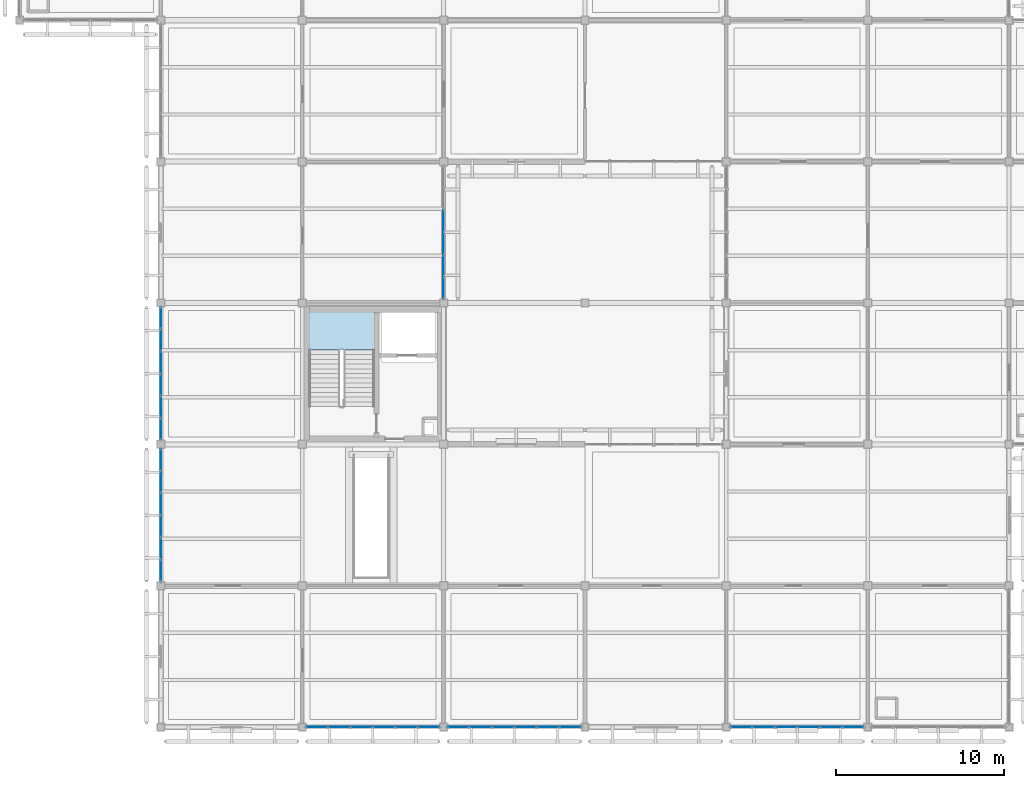
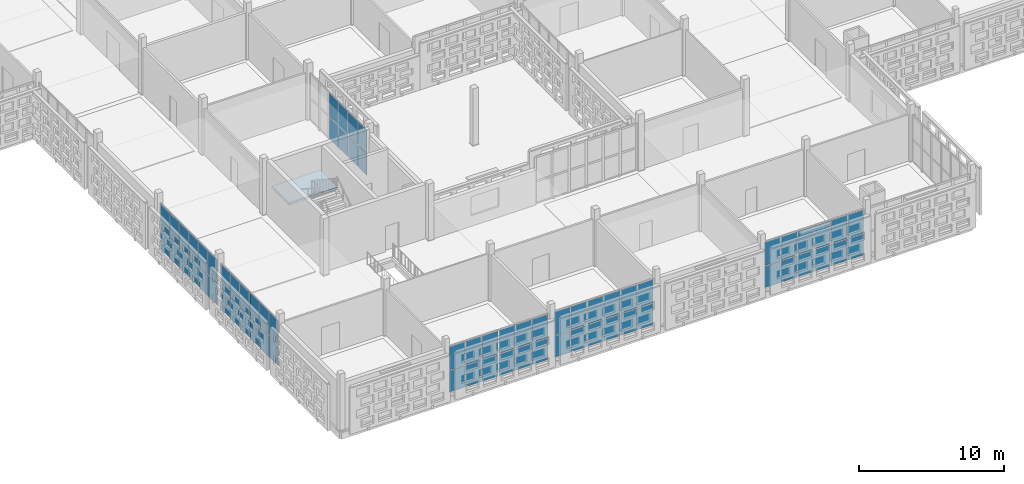
# One storey, part 87 of 203: 68 plates, 1 slab, 7 elements without a shape of their own.
"""IFC4 building model written with IfcOpenShell, lengths in metres."""

from ifc_helpers import new_model, si_unit, direction, frame, origin, origin_2d, place, context, subcontext, project, spatial, polyline, rectangle, outline, extrude, material, layer, layer_set, type_object, element, aggregate, save


model = new_model("IFC4")

# Units and contexts
model_context = context("Model", 3, precision=1e-05, world=origin(), true_north=direction((0.0, 1.0)))
body_context = subcontext(model_context, "Body", "Model", "MODEL_VIEW")
ifc_project = project(units=[si_unit("LENGTHUNIT", "METRE"), si_unit("AREAUNIT", "SQUARE_METRE"), si_unit("VOLUMEUNIT", "CUBIC_METRE"), si_unit("PLANEANGLEUNIT", "RADIAN"), si_unit("MASSUNIT", "GRAM", prefix="KILO")], contexts=[model_context])

# Site, building, storey
site_placement = place(None, origin())
site = spatial("IfcSite", under=ifc_project, at=site_placement, CompositionType="ELEMENT")
building_placement = place(site_placement, origin())
building = spatial("IfcBuilding", under=site, at=building_placement, Name="Varnapada Polytechnic", CompositionType="ELEMENT")
storey_placement = place(building_placement, frame((0.0, 0.0, 4.800048828125)))
storey = spatial("IfcBuildingStorey", under=building, at=storey_placement, Name="L01", CompositionType="ELEMENT", Elevation=4.800048828125)

# Curtain wall, plates
ifc_material_1 = material(Name="Double low-E laminated glass", Category="glass")
ifc_layer_1 = layer(ifc_material_1, 0.179931640625)
ifc_layer_set_1 = layer_set([ifc_layer_1], Name="Double low-E laminated glass")
curtain_wall_type = type_object("IfcCurtainWallType", Name="Curtain Wall CW-03", PredefinedType="NOTDEFINED", material=ifc_layer_set_1)
curtain_wall_1_placement = place(storey_placement, origin())
curtain_wall_1 = element("IfcCurtainWall", 1, at=curtain_wall_1_placement, inside=storey, type_object=curtain_wall_type, Name="L01 unitised curtain wall CW-03 (27)", PredefinedType="NOTDEFINED")
ifc_layer_2 = layer(ifc_material_1, 0.031982421875)
ifc_layer_set_2 = layer_set([ifc_layer_2], Name="Double low-E laminated glass")
plate_type = type_object("IfcPlateType", Name="Curtain Panel PNL-02", PredefinedType="CURTAIN_PANEL", material=ifc_layer_set_2)
plate_1_placement = place(storey_placement, frame((8.39990234375, 9.298828125, 0.06494140625), z_axis=(0.0, 0.0, 1.0), x_axis=(0.0, 1.0, 0.0)))
plate_1 = element("IfcPlate", 2, at=plate_1_placement, type_object=plate_type, Name="CW-03 panel 1.1", PredefinedType="CURTAIN_PANEL", context=body_context, shape_type="SweptSolid", body=[
    extrude(rectangle(XDim=1.2275390625, YDim=0.031982421875, at=origin_2d()), origin(), (0.0, 0.0, 1.0), 1.80322265625),
])
plate_2_placement = place(storey_placement, frame((8.39990234375, 9.298828125, 1.93310546875), z_axis=(0.0, 0.0, 1.0), x_axis=(0.0, 1.0, 0.0)))
plate_2 = element("IfcPlate", 3, at=plate_2_placement, type_object=plate_type, Name="CW-03 panel 1.2", PredefinedType="CURTAIN_PANEL", context=body_context, shape_type="SweptSolid", body=[
    extrude(rectangle(XDim=1.2275390625, YDim=0.031982421875, at=origin_2d()), origin(), (0.0, 0.0, 1.0), 1.961669921875),
])
plate_3_placement = place(storey_placement, frame((8.39990234375, 10.607421875, 0.06494140625), z_axis=(0.0, 0.0, 1.0), x_axis=(0.0, 1.0, 0.0)))
plate_3 = element("IfcPlate", 4, at=plate_3_placement, type_object=plate_type, Name="CW-03 panel 2.1", PredefinedType="CURTAIN_PANEL", context=body_context, shape_type="SweptSolid", body=[
    extrude(rectangle(XDim=1.260009765625, YDim=0.031982421875, at=origin_2d()), origin(), (0.0, 0.0, 1.0), 1.80322265625),
])
plate_4_placement = place(storey_placement, frame((8.39990234375, 10.607421875, 1.93310546875), z_axis=(0.0, 0.0, 1.0), x_axis=(0.0, 1.0, 0.0)))
plate_4 = element("IfcPlate", 5, at=plate_4_placement, type_object=plate_type, Name="CW-03 panel 2.2", PredefinedType="CURTAIN_PANEL", context=body_context, shape_type="SweptSolid", body=[
    extrude(rectangle(XDim=1.260009765625, YDim=0.031982421875, at=origin_2d()), origin(), (0.0, 0.0, 1.0), 1.961669921875),
])
plate_5_placement = place(storey_placement, frame((8.39990234375, 11.9326171875, 0.06494140625), z_axis=(0.0, 0.0, 1.0), x_axis=(0.0, 1.0, 0.0)))
plate_5 = element("IfcPlate", 6, at=plate_5_placement, type_object=plate_type, Name="CW-03 panel 3.1", PredefinedType="CURTAIN_PANEL", context=body_context, shape_type="SweptSolid", body=[
    extrude(rectangle(XDim=1.260009765625, YDim=0.031982421875, at=origin_2d()), origin(), (0.0, 0.0, 1.0), 1.80322265625),
])
plate_6_placement = place(storey_placement, frame((8.39990234375, 11.9326171875, 1.93310546875), z_axis=(0.0, 0.0, 1.0), x_axis=(0.0, 1.0, 0.0)))
plate_6 = element("IfcPlate", 7, at=plate_6_placement, type_object=plate_type, Name="CW-03 panel 3.2", PredefinedType="CURTAIN_PANEL", context=body_context, shape_type="SweptSolid", body=[
    extrude(rectangle(XDim=1.260009765625, YDim=0.031982421875, at=origin_2d()), origin(), (0.0, 0.0, 1.0), 1.961669921875),
])
plate_7_placement = place(storey_placement, frame((8.39990234375, 13.257568359375, 0.06494140625), z_axis=(0.0, 0.0, 1.0), x_axis=(0.0, 1.0, 0.0)))
plate_7 = element("IfcPlate", 8, at=plate_7_placement, type_object=plate_type, Name="CW-03 panel 4.1", PredefinedType="CURTAIN_PANEL", context=body_context, shape_type="SweptSolid", body=[
    extrude(rectangle(XDim=1.260009765625, YDim=0.031982421875, at=origin_2d()), origin(), (0.0, 0.0, 1.0), 1.80322265625),
])
plate_8_placement = place(storey_placement, frame((8.39990234375, 13.257568359375, 1.93310546875), z_axis=(0.0, 0.0, 1.0), x_axis=(0.0, 1.0, 0.0)))
plate_8 = element("IfcPlate", 9, at=plate_8_placement, type_object=plate_type, Name="CW-03 panel 4.2", PredefinedType="CURTAIN_PANEL", context=body_context, shape_type="SweptSolid", body=[
    extrude(rectangle(XDim=1.260009765625, YDim=0.031982421875, at=origin_2d()), origin(), (0.0, 0.0, 1.0), 1.961669921875),
])
plate_9_placement = place(storey_placement, frame((8.39990234375, 14.58251953125, 0.06494140625), z_axis=(0.0, 0.0, 1.0), x_axis=(0.0, 1.0, 0.0)))
plate_9 = element("IfcPlate", 10, at=plate_9_placement, type_object=plate_type, Name="CW-03 panel 5.1", PredefinedType="CURTAIN_PANEL", context=body_context, shape_type="SweptSolid", body=[
    extrude(rectangle(XDim=1.260009765625, YDim=0.031982421875, at=origin_2d()), origin(), (0.0, 0.0, 1.0), 1.80322265625),
])
plate_10_placement = place(storey_placement, frame((8.39990234375, 14.58251953125, 1.93310546875), z_axis=(0.0, 0.0, 1.0), x_axis=(0.0, 1.0, 0.0)))
plate_10 = element("IfcPlate", 11, at=plate_10_placement, type_object=plate_type, Name="CW-03 panel 5.2", PredefinedType="CURTAIN_PANEL", context=body_context, shape_type="SweptSolid", body=[
    extrude(rectangle(XDim=1.260009765625, YDim=0.031982421875, at=origin_2d()), origin(), (0.0, 0.0, 1.0), 1.961669921875),
])
plate_11_placement = place(storey_placement, frame((8.39990234375, 15.891357421875, 0.06494140625), z_axis=(0.0, 0.0, 1.0), x_axis=(0.0, 1.0, 0.0)))
plate_11 = element("IfcPlate", 12, at=plate_11_placement, type_object=plate_type, Name="CW-03 panel 6.1", PredefinedType="CURTAIN_PANEL", context=body_context, shape_type="SweptSolid", body=[
    extrude(rectangle(XDim=1.2275390625, YDim=0.031982421875, at=origin_2d()), origin(), (0.0, 0.0, 1.0), 1.80322265625),
])
plate_12_placement = place(storey_placement, frame((8.39990234375, 15.891357421875, 1.93310546875), z_axis=(0.0, 0.0, 1.0), x_axis=(0.0, 1.0, 0.0)))
plate_12 = element("IfcPlate", 13, at=plate_12_placement, type_object=plate_type, Name="CW-03 panel 6.2", PredefinedType="CURTAIN_PANEL", context=body_context, shape_type="SweptSolid", body=[
    extrude(rectangle(XDim=1.2275390625, YDim=0.031982421875, at=origin_2d()), origin(), (0.0, 0.0, 1.0), 1.961669921875),
])
aggregate(curtain_wall_1, [plate_1, plate_2, plate_3, plate_4, plate_5, plate_6, plate_7, plate_8, plate_9, plate_10, plate_11, plate_12])

curtain_wall_2_placement = place(storey_placement, origin())
curtain_wall_2 = element("IfcCurtainWall", 14, at=curtain_wall_2_placement, inside=storey, type_object=curtain_wall_type, Name="L01 unitised curtain wall CW-03 (28)", PredefinedType="NOTDEFINED")
plate_13_placement = place(storey_placement, frame((8.39990234375, 17.708740234375, 0.06494140625), z_axis=(0.0, 0.0, 1.0), x_axis=(0.0, 1.0, 0.0)))
plate_13 = element("IfcPlate", 15, at=plate_13_placement, type_object=plate_type, Name="CW-03 panel 1.1", PredefinedType="CURTAIN_PANEL", context=body_context, shape_type="SweptSolid", body=[
    extrude(rectangle(XDim=1.2275390625, YDim=0.031982421875, at=origin_2d()), origin(), (0.0, 0.0, 1.0), 1.80322265625),
])
plate_14_placement = place(storey_placement, frame((8.39990234375, 17.708740234375, 1.93310546875), z_axis=(0.0, 0.0, 1.0), x_axis=(0.0, 1.0, 0.0)))
plate_14 = element("IfcPlate", 16, at=plate_14_placement, type_object=plate_type, Name="CW-03 panel 1.2", PredefinedType="CURTAIN_PANEL", context=body_context, shape_type="SweptSolid", body=[
    extrude(rectangle(XDim=1.2275390625, YDim=0.031982421875, at=origin_2d()), origin(), (0.0, 0.0, 1.0), 1.961669921875),
])
plate_15_placement = place(storey_placement, frame((8.39990234375, 19.017578125, 0.06494140625), z_axis=(0.0, 0.0, 1.0), x_axis=(0.0, 1.0, 0.0)))
plate_15 = element("IfcPlate", 17, at=plate_15_placement, type_object=plate_type, Name="CW-03 panel 2.1", PredefinedType="CURTAIN_PANEL", context=body_context, shape_type="SweptSolid", body=[
    extrude(rectangle(XDim=1.260009765625, YDim=0.031982421875, at=origin_2d()), origin(), (0.0, 0.0, 1.0), 1.80322265625),
])
plate_16_placement = place(storey_placement, frame((8.39990234375, 19.017578125, 1.93310546875), z_axis=(0.0, 0.0, 1.0), x_axis=(0.0, 1.0, 0.0)))
plate_16 = element("IfcPlate", 18, at=plate_16_placement, type_object=plate_type, Name="CW-03 panel 2.2", PredefinedType="CURTAIN_PANEL", context=body_context, shape_type="SweptSolid", body=[
    extrude(rectangle(XDim=1.260009765625, YDim=0.031982421875, at=origin_2d()), origin(), (0.0, 0.0, 1.0), 1.961669921875),
])
plate_17_placement = place(storey_placement, frame((8.39990234375, 20.342529296875, 0.06494140625), z_axis=(0.0, 0.0, 1.0), x_axis=(0.0, 1.0, 0.0)))
plate_17 = element("IfcPlate", 19, at=plate_17_placement, type_object=plate_type, Name="CW-03 panel 3.1", PredefinedType="CURTAIN_PANEL", context=body_context, shape_type="SweptSolid", body=[
    extrude(rectangle(XDim=1.260009765625, YDim=0.031982421875, at=origin_2d()), origin(), (0.0, 0.0, 1.0), 1.80322265625),
])
plate_18_placement = place(storey_placement, frame((8.39990234375, 20.342529296875, 1.93310546875), z_axis=(0.0, 0.0, 1.0), x_axis=(0.0, 1.0, 0.0)))
plate_18 = element("IfcPlate", 20, at=plate_18_placement, type_object=plate_type, Name="CW-03 panel 3.2", PredefinedType="CURTAIN_PANEL", context=body_context, shape_type="SweptSolid", body=[
    extrude(rectangle(XDim=1.260009765625, YDim=0.031982421875, at=origin_2d()), origin(), (0.0, 0.0, 1.0), 1.961669921875),
])
plate_19_placement = place(storey_placement, frame((8.39990234375, 21.66748046875, 0.06494140625), z_axis=(0.0, 0.0, 1.0), x_axis=(0.0, 1.0, 0.0)))
plate_19 = element("IfcPlate", 21, at=plate_19_placement, type_object=plate_type, Name="CW-03 panel 4.1", PredefinedType="CURTAIN_PANEL", context=body_context, shape_type="SweptSolid", body=[
    extrude(rectangle(XDim=1.260009765625, YDim=0.031982421875, at=origin_2d()), origin(), (0.0, 0.0, 1.0), 1.80322265625),
])
plate_20_placement = place(storey_placement, frame((8.39990234375, 21.66748046875, 1.93310546875), z_axis=(0.0, 0.0, 1.0), x_axis=(0.0, 1.0, 0.0)))
plate_20 = element("IfcPlate", 22, at=plate_20_placement, type_object=plate_type, Name="CW-03 panel 4.2", PredefinedType="CURTAIN_PANEL", context=body_context, shape_type="SweptSolid", body=[
    extrude(rectangle(XDim=1.260009765625, YDim=0.031982421875, at=origin_2d()), origin(), (0.0, 0.0, 1.0), 1.961669921875),
])
plate_21_placement = place(storey_placement, frame((8.39990234375, 22.992431640625, 0.06494140625), z_axis=(0.0, 0.0, 1.0), x_axis=(0.0, 1.0, 0.0)))
plate_21 = element("IfcPlate", 23, at=plate_21_placement, type_object=plate_type, Name="CW-03 panel 5.1", PredefinedType="CURTAIN_PANEL", context=body_context, shape_type="SweptSolid", body=[
    extrude(rectangle(XDim=1.260009765625, YDim=0.031982421875, at=origin_2d()), origin(), (0.0, 0.0, 1.0), 1.80322265625),
])
plate_22_placement = place(storey_placement, frame((8.39990234375, 22.992431640625, 1.93310546875), z_axis=(0.0, 0.0, 1.0), x_axis=(0.0, 1.0, 0.0)))
plate_22 = element("IfcPlate", 24, at=plate_22_placement, type_object=plate_type, Name="CW-03 panel 5.2", PredefinedType="CURTAIN_PANEL", context=body_context, shape_type="SweptSolid", body=[
    extrude(rectangle(XDim=1.260009765625, YDim=0.031982421875, at=origin_2d()), origin(), (0.0, 0.0, 1.0), 1.961669921875),
])
plate_23_placement = place(storey_placement, frame((8.39990234375, 24.30126953125, 0.06494140625), z_axis=(0.0, 0.0, 1.0), x_axis=(0.0, 1.0, 0.0)))
plate_23 = element("IfcPlate", 25, at=plate_23_placement, type_object=plate_type, Name="CW-03 panel 6.1", PredefinedType="CURTAIN_PANEL", context=body_context, shape_type="SweptSolid", body=[
    extrude(rectangle(XDim=1.2275390625, YDim=0.031982421875, at=origin_2d()), origin(), (0.0, 0.0, 1.0), 1.80322265625),
])
plate_24_placement = place(storey_placement, frame((8.39990234375, 24.30126953125, 1.93310546875), z_axis=(0.0, 0.0, 1.0), x_axis=(0.0, 1.0, 0.0)))
plate_24 = element("IfcPlate", 26, at=plate_24_placement, type_object=plate_type, Name="CW-03 panel 6.2", PredefinedType="CURTAIN_PANEL", context=body_context, shape_type="SweptSolid", body=[
    extrude(rectangle(XDim=1.2275390625, YDim=0.031982421875, at=origin_2d()), origin(), (0.0, 0.0, 1.0), 1.961669921875),
])
aggregate(curtain_wall_2, [plate_13, plate_14, plate_15, plate_16, plate_17, plate_18, plate_19, plate_20, plate_21, plate_22, plate_23, plate_24])

curtain_wall_3_placement = place(storey_placement, origin())
curtain_wall_3 = element("IfcCurtainWall", 27, at=curtain_wall_3_placement, inside=storey, type_object=curtain_wall_type, Name="L01 unitised curtain wall CW-03 (31)", PredefinedType="NOTDEFINED")
plate_25_placement = place(storey_placement, frame((24.316162109375, 0.0, 0.06494140625), z_axis=(0.0, 0.0, 1.0), x_axis=(-1.0, 0.0, 0.0)))
plate_25 = element("IfcPlate", 28, at=plate_25_placement, type_object=plate_type, Name="CW-03 panel 1.1", PredefinedType="CURTAIN_PANEL", context=body_context, shape_type="SweptSolid", body=[
    extrude(rectangle(XDim=1.237548828125, YDim=0.031982421875, at=origin_2d()), origin(), (0.0, 0.0, 1.0), 1.80322265625),
])
plate_26_placement = place(storey_placement, frame((24.316162109375, 0.0, 1.93310546875), z_axis=(0.0, 0.0, 1.0), x_axis=(-1.0, 0.0, 0.0)))
plate_26 = element("IfcPlate", 29, at=plate_26_placement, type_object=plate_type, Name="CW-03 panel 1.2", PredefinedType="CURTAIN_PANEL", context=body_context, shape_type="SweptSolid", body=[
    extrude(rectangle(XDim=1.237548828125, YDim=0.031982421875, at=origin_2d()), origin(), (0.0, 0.0, 1.0), 1.961669921875),
])
plate_27_placement = place(storey_placement, frame((22.99755859375, 0.0, 0.06494140625), z_axis=(0.0, 0.0, 1.0), x_axis=(-1.0, 0.0, 0.0)))
plate_27 = element("IfcPlate", 30, at=plate_27_placement, type_object=plate_type, Name="CW-03 panel 2.1", PredefinedType="CURTAIN_PANEL", context=body_context, shape_type="SweptSolid", body=[
    extrude(rectangle(XDim=1.27001953125, YDim=0.031982421875, at=origin_2d()), origin(), (0.0, 0.0, 1.0), 1.80322265625),
])
plate_28_placement = place(storey_placement, frame((22.99755859375, 0.0, 1.93310546875), z_axis=(0.0, 0.0, 1.0), x_axis=(-1.0, 0.0, 0.0)))
plate_28 = element("IfcPlate", 31, at=plate_28_placement, type_object=plate_type, Name="CW-03 panel 2.2", PredefinedType="CURTAIN_PANEL", context=body_context, shape_type="SweptSolid", body=[
    extrude(rectangle(XDim=1.27001953125, YDim=0.031982421875, at=origin_2d()), origin(), (0.0, 0.0, 1.0), 1.961669921875),
])
plate_29_placement = place(storey_placement, frame((21.66259765625, 0.0, 0.06494140625), z_axis=(0.0, 0.0, 1.0), x_axis=(-1.0, 0.0, 0.0)))
plate_29 = element("IfcPlate", 32, at=plate_29_placement, type_object=plate_type, Name="CW-03 panel 3.1", PredefinedType="CURTAIN_PANEL", context=body_context, shape_type="SweptSolid", body=[
    extrude(rectangle(XDim=1.27001953125, YDim=0.031982421875, at=origin_2d()), origin(), (0.0, 0.0, 1.0), 1.80322265625),
])
plate_30_placement = place(storey_placement, frame((21.66259765625, 0.0, 1.93310546875), z_axis=(0.0, 0.0, 1.0), x_axis=(-1.0, 0.0, 0.0)))
plate_30 = element("IfcPlate", 33, at=plate_30_placement, type_object=plate_type, Name="CW-03 panel 3.2", PredefinedType="CURTAIN_PANEL", context=body_context, shape_type="SweptSolid", body=[
    extrude(rectangle(XDim=1.27001953125, YDim=0.031982421875, at=origin_2d()), origin(), (0.0, 0.0, 1.0), 1.961669921875),
])
plate_31_placement = place(storey_placement, frame((20.327392578125, 0.0, 0.06494140625), z_axis=(0.0, 0.0, 1.0), x_axis=(-1.0, 0.0, 0.0)))
plate_31 = element("IfcPlate", 34, at=plate_31_placement, type_object=plate_type, Name="CW-03 panel 4.1", PredefinedType="CURTAIN_PANEL", context=body_context, shape_type="SweptSolid", body=[
    extrude(rectangle(XDim=1.27001953125, YDim=0.031982421875, at=origin_2d()), origin(), (0.0, 0.0, 1.0), 1.80322265625),
])
plate_32_placement = place(storey_placement, frame((20.327392578125, 0.0, 1.93310546875), z_axis=(0.0, 0.0, 1.0), x_axis=(-1.0, 0.0, 0.0)))
plate_32 = element("IfcPlate", 35, at=plate_32_placement, type_object=plate_type, Name="CW-03 panel 4.2", PredefinedType="CURTAIN_PANEL", context=body_context, shape_type="SweptSolid", body=[
    extrude(rectangle(XDim=1.27001953125, YDim=0.031982421875, at=origin_2d()), origin(), (0.0, 0.0, 1.0), 1.961669921875),
])
plate_33_placement = place(storey_placement, frame((18.992431640625, 0.0, 0.06494140625), z_axis=(0.0, 0.0, 1.0), x_axis=(-1.0, 0.0, 0.0)))
plate_33 = element("IfcPlate", 36, at=plate_33_placement, type_object=plate_type, Name="CW-03 panel 5.1", PredefinedType="CURTAIN_PANEL", context=body_context, shape_type="SweptSolid", body=[
    extrude(rectangle(XDim=1.27001953125, YDim=0.031982421875, at=origin_2d()), origin(), (0.0, 0.0, 1.0), 1.80322265625),
])
plate_34_placement = place(storey_placement, frame((18.992431640625, 0.0, 1.93310546875), z_axis=(0.0, 0.0, 1.0), x_axis=(-1.0, 0.0, 0.0)))
plate_34 = element("IfcPlate", 37, at=plate_34_placement, type_object=plate_type, Name="CW-03 panel 5.2", PredefinedType="CURTAIN_PANEL", context=body_context, shape_type="SweptSolid", body=[
    extrude(rectangle(XDim=1.27001953125, YDim=0.031982421875, at=origin_2d()), origin(), (0.0, 0.0, 1.0), 1.961669921875),
])
plate_35_placement = place(storey_placement, frame((17.673828125, 0.0, 0.06494140625), z_axis=(0.0, 0.0, 1.0), x_axis=(-1.0, 0.0, 0.0)))
plate_35 = element("IfcPlate", 38, at=plate_35_placement, type_object=plate_type, Name="CW-03 panel 6.1", PredefinedType="CURTAIN_PANEL", context=body_context, shape_type="SweptSolid", body=[
    extrude(rectangle(XDim=1.237548828125, YDim=0.031982421875, at=origin_2d()), origin(), (0.0, 0.0, 1.0), 1.80322265625),
])
plate_36_placement = place(storey_placement, frame((17.673828125, 0.0, 1.93310546875), z_axis=(0.0, 0.0, 1.0), x_axis=(-1.0, 0.0, 0.0)))
plate_36 = element("IfcPlate", 39, at=plate_36_placement, type_object=plate_type, Name="CW-03 panel 6.2", PredefinedType="CURTAIN_PANEL", context=body_context, shape_type="SweptSolid", body=[
    extrude(rectangle(XDim=1.237548828125, YDim=0.031982421875, at=origin_2d()), origin(), (0.0, 0.0, 1.0), 1.961669921875),
])
aggregate(curtain_wall_3, [plate_25, plate_26, plate_27, plate_28, plate_29, plate_30, plate_31, plate_32, plate_33, plate_34, plate_35, plate_36])

curtain_wall_4_placement = place(storey_placement, origin())
curtain_wall_4 = element("IfcCurtainWall", 40, at=curtain_wall_4_placement, inside=storey, type_object=curtain_wall_type, Name="L01 unitised curtain wall CW-03 (32)", PredefinedType="NOTDEFINED")
plate_37_placement = place(storey_placement, frame((25.199951171875, 30.0576171875, 0.06494140625), z_axis=(0.0, 0.0, 1.0), x_axis=(0.0, -1.0, 0.0)))
plate_37 = element("IfcPlate", 41, at=plate_37_placement, type_object=plate_type, Name="CW-03 panel 3.1", PredefinedType="CURTAIN_PANEL", context=body_context, shape_type="SweptSolid", body=[
    extrude(rectangle(XDim=1.260009765625, YDim=0.031982421875, at=origin_2d()), origin(), (0.0, 0.0, 1.0), 1.80322265625),
])
plate_38_placement = place(storey_placement, frame((25.199951171875, 30.0576171875, 1.93310546875), z_axis=(0.0, 0.0, 1.0), x_axis=(0.0, -1.0, 0.0)))
plate_38 = element("IfcPlate", 42, at=plate_38_placement, type_object=plate_type, Name="CW-03 panel 3.2", PredefinedType="CURTAIN_PANEL", context=body_context, shape_type="SweptSolid", body=[
    extrude(rectangle(XDim=1.260009765625, YDim=0.031982421875, at=origin_2d()), origin(), (0.0, 0.0, 1.0), 1.961669921875),
])
plate_39_placement = place(storey_placement, frame((25.199951171875, 28.732421875, 0.06494140625), z_axis=(0.0, 0.0, 1.0), x_axis=(0.0, -1.0, 0.0)))
plate_39 = element("IfcPlate", 43, at=plate_39_placement, type_object=plate_type, Name="CW-03 panel 4.1", PredefinedType="CURTAIN_PANEL", context=body_context, shape_type="SweptSolid", body=[
    extrude(rectangle(XDim=1.260009765625, YDim=0.031982421875, at=origin_2d()), origin(), (0.0, 0.0, 1.0), 1.80322265625),
])
plate_40_placement = place(storey_placement, frame((25.199951171875, 28.732421875, 1.93310546875), z_axis=(0.0, 0.0, 1.0), x_axis=(0.0, -1.0, 0.0)))
plate_40 = element("IfcPlate", 44, at=plate_40_placement, type_object=plate_type, Name="CW-03 panel 4.2", PredefinedType="CURTAIN_PANEL", context=body_context, shape_type="SweptSolid", body=[
    extrude(rectangle(XDim=1.260009765625, YDim=0.031982421875, at=origin_2d()), origin(), (0.0, 0.0, 1.0), 1.961669921875),
])
plate_41_placement = place(storey_placement, frame((25.199951171875, 27.407470703125, 0.06494140625), z_axis=(0.0, 0.0, 1.0), x_axis=(0.0, -1.0, 0.0)))
plate_41 = element("IfcPlate", 45, at=plate_41_placement, type_object=plate_type, Name="CW-03 panel 5.1", PredefinedType="CURTAIN_PANEL", context=body_context, shape_type="SweptSolid", body=[
    extrude(rectangle(XDim=1.260009765625, YDim=0.031982421875, at=origin_2d()), origin(), (0.0, 0.0, 1.0), 1.80322265625),
])
plate_42_placement = place(storey_placement, frame((25.199951171875, 27.407470703125, 1.93310546875), z_axis=(0.0, 0.0, 1.0), x_axis=(0.0, -1.0, 0.0)))
plate_42 = element("IfcPlate", 46, at=plate_42_placement, type_object=plate_type, Name="CW-03 panel 5.2", PredefinedType="CURTAIN_PANEL", context=body_context, shape_type="SweptSolid", body=[
    extrude(rectangle(XDim=1.260009765625, YDim=0.031982421875, at=origin_2d()), origin(), (0.0, 0.0, 1.0), 1.961669921875),
])
plate_43_placement = place(storey_placement, frame((25.199951171875, 26.0986328125, 0.06494140625), z_axis=(0.0, 0.0, 1.0), x_axis=(0.0, -1.0, 0.0)))
plate_43 = element("IfcPlate", 47, at=plate_43_placement, type_object=plate_type, Name="CW-03 panel 6.1", PredefinedType="CURTAIN_PANEL", context=body_context, shape_type="SweptSolid", body=[
    extrude(rectangle(XDim=1.2275390625, YDim=0.031982421875, at=origin_2d()), origin(), (0.0, 0.0, 1.0), 1.80322265625),
])
plate_44_placement = place(storey_placement, frame((25.199951171875, 26.0986328125, 1.93310546875), z_axis=(0.0, 0.0, 1.0), x_axis=(0.0, -1.0, 0.0)))
plate_44 = element("IfcPlate", 48, at=plate_44_placement, type_object=plate_type, Name="CW-03 panel 6.2", PredefinedType="CURTAIN_PANEL", context=body_context, shape_type="SweptSolid", body=[
    extrude(rectangle(XDim=1.2275390625, YDim=0.031982421875, at=origin_2d()), origin(), (0.0, 0.0, 1.0), 1.961669921875),
])
aggregate(curtain_wall_4, [plate_37, plate_38, plate_39, plate_40, plate_41, plate_42, plate_43, plate_44])

curtain_wall_5_placement = place(storey_placement, origin())
curtain_wall_5 = element("IfcCurtainWall", 49, at=curtain_wall_5_placement, inside=storey, type_object=curtain_wall_type, Name="L01 unitised curtain wall CW-03 (33)", PredefinedType="NOTDEFINED")
plate_45_placement = place(storey_placement, frame((32.726318359375, 0.0, 0.06494140625), z_axis=(0.0, 0.0, 1.0), x_axis=(-1.0, 0.0, 0.0)))
plate_45 = element("IfcPlate", 50, at=plate_45_placement, type_object=plate_type, Name="CW-03 panel 1.1", PredefinedType="CURTAIN_PANEL", context=body_context, shape_type="SweptSolid", body=[
    extrude(rectangle(XDim=1.237548828125, YDim=0.031982421875, at=origin_2d()), origin(), (0.0, 0.0, 1.0), 1.80322265625),
])
plate_46_placement = place(storey_placement, frame((32.726318359375, 0.0, 1.93310546875), z_axis=(0.0, 0.0, 1.0), x_axis=(-1.0, 0.0, 0.0)))
plate_46 = element("IfcPlate", 51, at=plate_46_placement, type_object=plate_type, Name="CW-03 panel 1.2", PredefinedType="CURTAIN_PANEL", context=body_context, shape_type="SweptSolid", body=[
    extrude(rectangle(XDim=1.237548828125, YDim=0.031982421875, at=origin_2d()), origin(), (0.0, 0.0, 1.0), 1.961669921875),
])
plate_47_placement = place(storey_placement, frame((31.407470703125, 0.0, 0.06494140625), z_axis=(0.0, 0.0, 1.0), x_axis=(-1.0, 0.0, 0.0)))
plate_47 = element("IfcPlate", 52, at=plate_47_placement, type_object=plate_type, Name="CW-03 panel 2.1", PredefinedType="CURTAIN_PANEL", context=body_context, shape_type="SweptSolid", body=[
    extrude(rectangle(XDim=1.27001953125, YDim=0.031982421875, at=origin_2d()), origin(), (0.0, 0.0, 1.0), 1.80322265625),
])
plate_48_placement = place(storey_placement, frame((31.407470703125, 0.0, 1.93310546875), z_axis=(0.0, 0.0, 1.0), x_axis=(-1.0, 0.0, 0.0)))
plate_48 = element("IfcPlate", 53, at=plate_48_placement, type_object=plate_type, Name="CW-03 panel 2.2", PredefinedType="CURTAIN_PANEL", context=body_context, shape_type="SweptSolid", body=[
    extrude(rectangle(XDim=1.27001953125, YDim=0.031982421875, at=origin_2d()), origin(), (0.0, 0.0, 1.0), 1.961669921875),
])
plate_49_placement = place(storey_placement, frame((30.072509765625, 0.0, 0.06494140625), z_axis=(0.0, 0.0, 1.0), x_axis=(-1.0, 0.0, 0.0)))
plate_49 = element("IfcPlate", 54, at=plate_49_placement, type_object=plate_type, Name="CW-03 panel 3.1", PredefinedType="CURTAIN_PANEL", context=body_context, shape_type="SweptSolid", body=[
    extrude(rectangle(XDim=1.27001953125, YDim=0.031982421875, at=origin_2d()), origin(), (0.0, 0.0, 1.0), 1.80322265625),
])
plate_50_placement = place(storey_placement, frame((30.072509765625, 0.0, 1.93310546875), z_axis=(0.0, 0.0, 1.0), x_axis=(-1.0, 0.0, 0.0)))
plate_50 = element("IfcPlate", 55, at=plate_50_placement, type_object=plate_type, Name="CW-03 panel 3.2", PredefinedType="CURTAIN_PANEL", context=body_context, shape_type="SweptSolid", body=[
    extrude(rectangle(XDim=1.27001953125, YDim=0.031982421875, at=origin_2d()), origin(), (0.0, 0.0, 1.0), 1.961669921875),
])
plate_51_placement = place(storey_placement, frame((28.737548828125, 0.0, 0.06494140625), z_axis=(0.0, 0.0, 1.0), x_axis=(-1.0, 0.0, 0.0)))
plate_51 = element("IfcPlate", 56, at=plate_51_placement, type_object=plate_type, Name="CW-03 panel 4.1", PredefinedType="CURTAIN_PANEL", context=body_context, shape_type="SweptSolid", body=[
    extrude(rectangle(XDim=1.27001953125, YDim=0.031982421875, at=origin_2d()), origin(), (0.0, 0.0, 1.0), 1.80322265625),
])
plate_52_placement = place(storey_placement, frame((28.737548828125, 0.0, 1.93310546875), z_axis=(0.0, 0.0, 1.0), x_axis=(-1.0, 0.0, 0.0)))
plate_52 = element("IfcPlate", 57, at=plate_52_placement, type_object=plate_type, Name="CW-03 panel 4.2", PredefinedType="CURTAIN_PANEL", context=body_context, shape_type="SweptSolid", body=[
    extrude(rectangle(XDim=1.27001953125, YDim=0.031982421875, at=origin_2d()), origin(), (0.0, 0.0, 1.0), 1.961669921875),
])
plate_53_placement = place(storey_placement, frame((27.402587890625, 0.0, 0.06494140625), z_axis=(0.0, 0.0, 1.0), x_axis=(-1.0, 0.0, 0.0)))
plate_53 = element("IfcPlate", 58, at=plate_53_placement, type_object=plate_type, Name="CW-03 panel 5.1", PredefinedType="CURTAIN_PANEL", context=body_context, shape_type="SweptSolid", body=[
    extrude(rectangle(XDim=1.27001953125, YDim=0.031982421875, at=origin_2d()), origin(), (0.0, 0.0, 1.0), 1.80322265625),
])
plate_54_placement = place(storey_placement, frame((27.402587890625, 0.0, 1.93310546875), z_axis=(0.0, 0.0, 1.0), x_axis=(-1.0, 0.0, 0.0)))
plate_54 = element("IfcPlate", 59, at=plate_54_placement, type_object=plate_type, Name="CW-03 panel 5.2", PredefinedType="CURTAIN_PANEL", context=body_context, shape_type="SweptSolid", body=[
    extrude(rectangle(XDim=1.27001953125, YDim=0.031982421875, at=origin_2d()), origin(), (0.0, 0.0, 1.0), 1.961669921875),
])
plate_55_placement = place(storey_placement, frame((26.083740234375, 0.0, 0.06494140625), z_axis=(0.0, 0.0, 1.0), x_axis=(-1.0, 0.0, 0.0)))
plate_55 = element("IfcPlate", 60, at=plate_55_placement, type_object=plate_type, Name="CW-03 panel 6.1", PredefinedType="CURTAIN_PANEL", context=body_context, shape_type="SweptSolid", body=[
    extrude(rectangle(XDim=1.237548828125, YDim=0.031982421875, at=origin_2d()), origin(), (0.0, 0.0, 1.0), 1.80322265625),
])
plate_56_placement = place(storey_placement, frame((26.083740234375, 0.0, 1.93310546875), z_axis=(0.0, 0.0, 1.0), x_axis=(-1.0, 0.0, 0.0)))
plate_56 = element("IfcPlate", 61, at=plate_56_placement, type_object=plate_type, Name="CW-03 panel 6.2", PredefinedType="CURTAIN_PANEL", context=body_context, shape_type="SweptSolid", body=[
    extrude(rectangle(XDim=1.237548828125, YDim=0.031982421875, at=origin_2d()), origin(), (0.0, 0.0, 1.0), 1.961669921875),
])
aggregate(curtain_wall_5, [plate_45, plate_46, plate_47, plate_48, plate_49, plate_50, plate_51, plate_52, plate_53, plate_54, plate_55, plate_56])

curtain_wall_6_placement = place(storey_placement, origin())
curtain_wall_6 = element("IfcCurtainWall", 62, at=curtain_wall_6_placement, inside=storey, type_object=curtain_wall_type, Name="L01 unitised curtain wall CW-03 (43)", PredefinedType="NOTDEFINED")
plate_57_placement = place(storey_placement, frame((49.5263671875, 0.0, 0.06494140625), z_axis=(0.0, 0.0, 1.0), x_axis=(-1.0, 0.0, 0.0)))
plate_57 = element("IfcPlate", 63, at=plate_57_placement, type_object=plate_type, Name="CW-03 panel 1.1", PredefinedType="CURTAIN_PANEL", context=body_context, shape_type="SweptSolid", body=[
    extrude(rectangle(XDim=1.237548828125, YDim=0.031982421875, at=origin_2d()), origin(), (0.0, 0.0, 1.0), 1.80322265625),
])
plate_58_placement = place(storey_placement, frame((49.5263671875, 0.0, 1.93310546875), z_axis=(0.0, 0.0, 1.0), x_axis=(-1.0, 0.0, 0.0)))
plate_58 = element("IfcPlate", 64, at=plate_58_placement, type_object=plate_type, Name="CW-03 panel 1.2", PredefinedType="CURTAIN_PANEL", context=body_context, shape_type="SweptSolid", body=[
    extrude(rectangle(XDim=1.237548828125, YDim=0.031982421875, at=origin_2d()), origin(), (0.0, 0.0, 1.0), 1.961669921875),
])
plate_59_placement = place(storey_placement, frame((48.20751953125, 0.0, 0.06494140625), z_axis=(0.0, 0.0, 1.0), x_axis=(-1.0, 0.0, 0.0)))
plate_59 = element("IfcPlate", 65, at=plate_59_placement, type_object=plate_type, Name="CW-03 panel 2.1", PredefinedType="CURTAIN_PANEL", context=body_context, shape_type="SweptSolid", body=[
    extrude(rectangle(XDim=1.27001953125, YDim=0.031982421875, at=origin_2d()), origin(), (0.0, 0.0, 1.0), 1.80322265625),
])
plate_60_placement = place(storey_placement, frame((48.20751953125, 0.0, 1.93310546875), z_axis=(0.0, 0.0, 1.0), x_axis=(-1.0, 0.0, 0.0)))
plate_60 = element("IfcPlate", 66, at=plate_60_placement, type_object=plate_type, Name="CW-03 panel 2.2", PredefinedType="CURTAIN_PANEL", context=body_context, shape_type="SweptSolid", body=[
    extrude(rectangle(XDim=1.27001953125, YDim=0.031982421875, at=origin_2d()), origin(), (0.0, 0.0, 1.0), 1.961669921875),
])
plate_61_placement = place(storey_placement, frame((46.87255859375, 0.0, 0.06494140625), z_axis=(0.0, 0.0, 1.0), x_axis=(-1.0, 0.0, 0.0)))
plate_61 = element("IfcPlate", 67, at=plate_61_placement, type_object=plate_type, Name="CW-03 panel 3.1", PredefinedType="CURTAIN_PANEL", context=body_context, shape_type="SweptSolid", body=[
    extrude(rectangle(XDim=1.27001953125, YDim=0.031982421875, at=origin_2d()), origin(), (0.0, 0.0, 1.0), 1.80322265625),
])
plate_62_placement = place(storey_placement, frame((46.87255859375, 0.0, 1.93310546875), z_axis=(0.0, 0.0, 1.0), x_axis=(-1.0, 0.0, 0.0)))
plate_62 = element("IfcPlate", 68, at=plate_62_placement, type_object=plate_type, Name="CW-03 panel 3.2", PredefinedType="CURTAIN_PANEL", context=body_context, shape_type="SweptSolid", body=[
    extrude(rectangle(XDim=1.27001953125, YDim=0.031982421875, at=origin_2d()), origin(), (0.0, 0.0, 1.0), 1.961669921875),
])
plate_63_placement = place(storey_placement, frame((45.53759765625, 0.0, 0.06494140625), z_axis=(0.0, 0.0, 1.0), x_axis=(-1.0, 0.0, 0.0)))
plate_63 = element("IfcPlate", 69, at=plate_63_placement, type_object=plate_type, Name="CW-03 panel 4.1", PredefinedType="CURTAIN_PANEL", context=body_context, shape_type="SweptSolid", body=[
    extrude(rectangle(XDim=1.27001953125, YDim=0.031982421875, at=origin_2d()), origin(), (0.0, 0.0, 1.0), 1.80322265625),
])
plate_64_placement = place(storey_placement, frame((45.53759765625, 0.0, 1.93310546875), z_axis=(0.0, 0.0, 1.0), x_axis=(-1.0, 0.0, 0.0)))
plate_64 = element("IfcPlate", 70, at=plate_64_placement, type_object=plate_type, Name="CW-03 panel 4.2", PredefinedType="CURTAIN_PANEL", context=body_context, shape_type="SweptSolid", body=[
    extrude(rectangle(XDim=1.27001953125, YDim=0.031982421875, at=origin_2d()), origin(), (0.0, 0.0, 1.0), 1.961669921875),
])
plate_65_placement = place(storey_placement, frame((44.202392578125, 0.0, 0.06494140625), z_axis=(0.0, 0.0, 1.0), x_axis=(-1.0, 0.0, 0.0)))
plate_65 = element("IfcPlate", 71, at=plate_65_placement, type_object=plate_type, Name="CW-03 panel 5.1", PredefinedType="CURTAIN_PANEL", context=body_context, shape_type="SweptSolid", body=[
    extrude(rectangle(XDim=1.27001953125, YDim=0.031982421875, at=origin_2d()), origin(), (0.0, 0.0, 1.0), 1.80322265625),
])
plate_66_placement = place(storey_placement, frame((44.202392578125, 0.0, 1.93310546875), z_axis=(0.0, 0.0, 1.0), x_axis=(-1.0, 0.0, 0.0)))
plate_66 = element("IfcPlate", 72, at=plate_66_placement, type_object=plate_type, Name="CW-03 panel 5.2", PredefinedType="CURTAIN_PANEL", context=body_context, shape_type="SweptSolid", body=[
    extrude(rectangle(XDim=1.27001953125, YDim=0.031982421875, at=origin_2d()), origin(), (0.0, 0.0, 1.0), 1.961669921875),
])
plate_67_placement = place(storey_placement, frame((42.8837890625, 0.0, 0.06494140625), z_axis=(0.0, 0.0, 1.0), x_axis=(-1.0, 0.0, 0.0)))
plate_67 = element("IfcPlate", 73, at=plate_67_placement, type_object=plate_type, Name="CW-03 panel 6.1", PredefinedType="CURTAIN_PANEL", context=body_context, shape_type="SweptSolid", body=[
    extrude(rectangle(XDim=1.237548828125, YDim=0.031982421875, at=origin_2d()), origin(), (0.0, 0.0, 1.0), 1.80322265625),
])
plate_68_placement = place(storey_placement, frame((42.8837890625, 0.0, 1.93310546875), z_axis=(0.0, 0.0, 1.0), x_axis=(-1.0, 0.0, 0.0)))
plate_68 = element("IfcPlate", 74, at=plate_68_placement, type_object=plate_type, Name="CW-03 panel 6.2", PredefinedType="CURTAIN_PANEL", context=body_context, shape_type="SweptSolid", body=[
    extrude(rectangle(XDim=1.237548828125, YDim=0.031982421875, at=origin_2d()), origin(), (0.0, 0.0, 1.0), 1.961669921875),
])
aggregate(curtain_wall_6, [plate_57, plate_58, plate_59, plate_60, plate_61, plate_62, plate_63, plate_64, plate_65, plate_66, plate_67, plate_68])

# Stair, slab
ifc_material_2 = material(Name="Concrete C40/50", Category="concrete")
stair_type = type_object("IfcStairType", Name="Core Exit Stair ST-A", PredefinedType="HALF_TURN_STAIR", material=ifc_material_2)
stair_placement = place(storey_placement, origin())
stair = element("IfcStair", 75, at=stair_placement, inside=storey, type_object=stair_type, Name="L01 Core C3 Exit Stair", PredefinedType="HALF_TURN_STAIR")
ifc_layer_3 = layer(ifc_material_2, 0.199951171875)
ifc_layer_set_3 = layer_set([ifc_layer_3], Name="Concrete C40/50")
slab_type = type_object("IfcSlabType", Name="Stair Half Landing SLD-01", PredefinedType="LANDING", material=ifc_layer_set_3)
slab_placement = place(storey_placement, frame((0.0, 0.0, 2.199951171875)))
slab = element("IfcSlab", 76, at=slab_placement, type_object=slab_type, Name="ST-3 landing 1", PredefinedType="LANDING", context=body_context, shape_type="SweptSolid", body=[
    extrude(outline(polyline([(21.10009765625, 22.409912109375), (21.10009765625, 24.800048828125), (17.199951171875, 24.800048828125), (17.199951171875, 22.409912109375), (21.10009765625, 22.409912109375)])), origin(), (0.0, 0.0, 1.0), 0.199951171875),
])
aggregate(stair, [slab])

save(model, "model.ifc")
